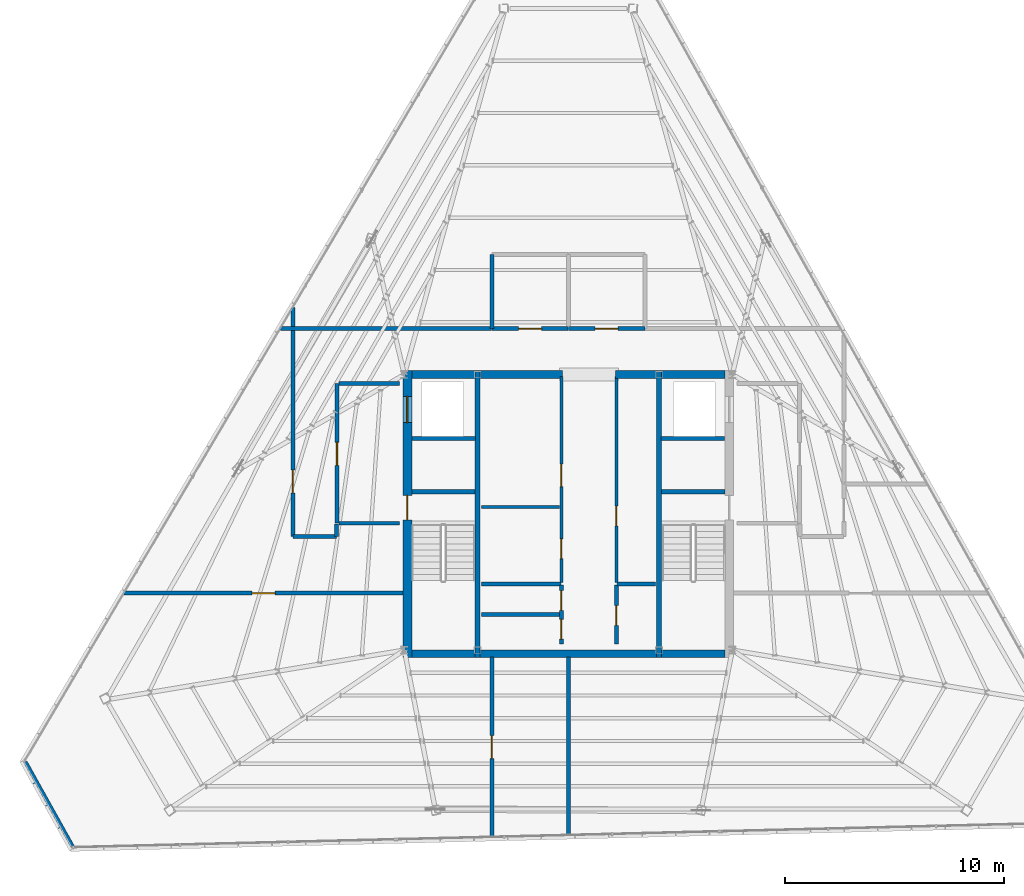
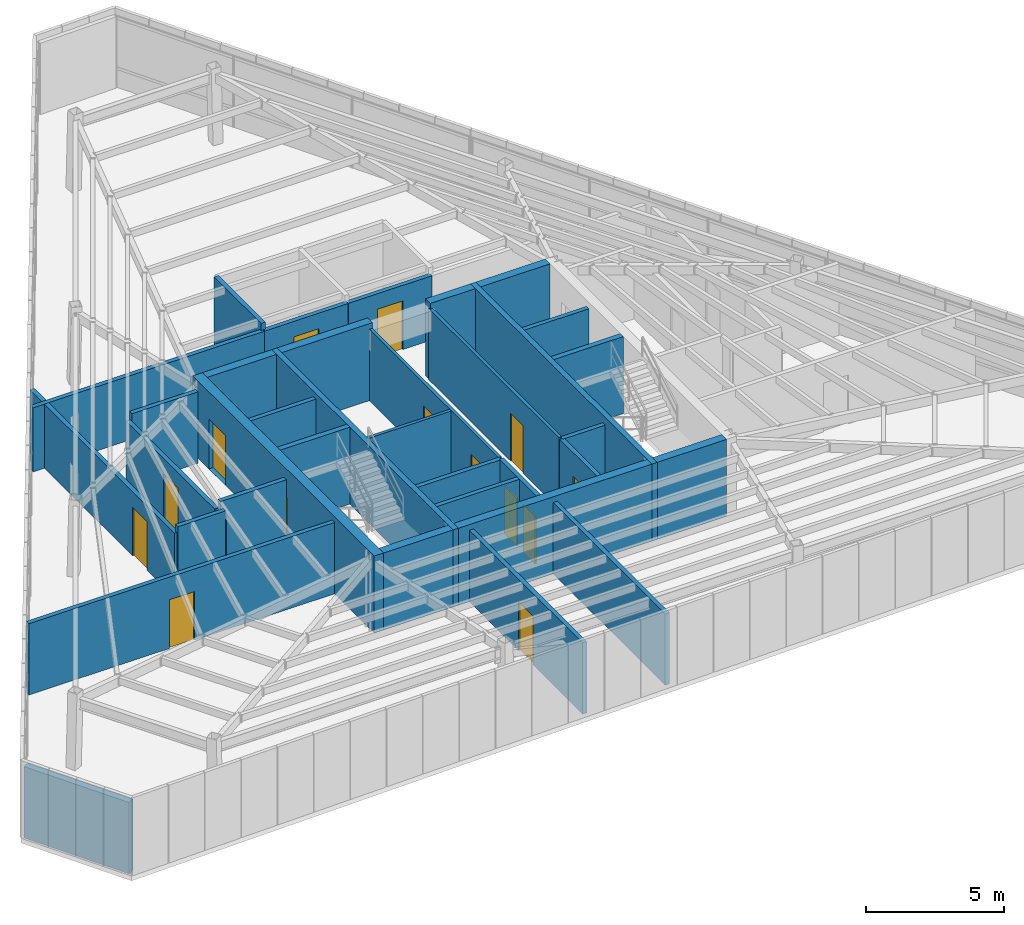
# One storey, part 43 of 47: 36 walls, 14 doors, 14 openings.
"""IFC4 building model written with IfcOpenShell, lengths in metres."""

from ifc_helpers import new_model, si_unit, direction, frame, frame_2d, origin, place, context, subcontext, project, spatial, rectangle, extrude, material, layer, layer_set, type_object, element, fill, save


model = new_model("IFC4")

# Units and contexts
model_context = context("Model", 3, precision=1e-05, world=origin(), true_north=direction((0.0, 1.0)))
body_context = subcontext(model_context, "Body", "Model", "MODEL_VIEW")
ifc_project = project(units=[si_unit("LENGTHUNIT", "METRE"), si_unit("AREAUNIT", "SQUARE_METRE"), si_unit("VOLUMEUNIT", "CUBIC_METRE"), si_unit("PLANEANGLEUNIT", "RADIAN"), si_unit("MASSUNIT", "GRAM", prefix="KILO")], contexts=[model_context])

# Site, building, storey
site_placement = place(None, origin())
site = spatial("IfcSite", under=ifc_project, at=site_placement, CompositionType="ELEMENT")
building_placement = place(site_placement, origin())
building = spatial("IfcBuilding", under=site, at=building_placement, Name="Caelisora Broadcast Tower", CompositionType="ELEMENT")
storey_placement = place(building_placement, frame((0.0, 0.0, 293.199951171875)))
storey = spatial("IfcBuildingStorey", under=building, at=storey_placement, Name="L77", CompositionType="ELEMENT", Elevation=293.199951171875)

# Wall, openings, doors
ifc_material_1 = material(Name="Concrete 40 MPa (AS 3600 N40)", Category="concrete")
ifc_layer_1 = layer(ifc_material_1, 0.39990234375, Name="Concrete 40 MPa (AS 3600 N40)")
ifc_layer_set_1 = layer_set([ifc_layer_1], Name="Concrete 40 MPa (AS 3600 N40)")
wall_type_1 = type_object("IfcWallType", Name="CW3", PredefinedType="SHEAR", material=ifc_layer_set_1)
wall_1_placement = place(storey_placement, frame((30.639892578125, 17.050048828125, 0.0), z_axis=(0.0, 0.0, 1.0), x_axis=(0.0, 1.0, 0.0)))
wall_1 = element("IfcWall", 1, at=wall_1_placement, inside=storey, type_object=wall_type_1, Name="L77 core shear wall CW3", PredefinedType="SHEAR", context=body_context, shape_type="SweptSolid", body=[
    extrude(rectangle(XDim=13.125, YDim=0.39990234375, at=frame_2d((6.5625, 0.0))), origin(), (0.0, 0.0, 1.0), 3.400146484375),
])
opening_1_placement = place(wall_1_placement, frame((6.300048828125, 0.0, 0.0)))
opening_1 = element("IfcOpeningElement", 2, at=opening_1_placement, cuts=wall_1, Name="Opening FD04", PredefinedType="OPENING", context=body_context, shape_type="SweptSolid", body=[
    extrude(rectangle(XDim=1.1201171875, YDim=2.14990234375, at=frame_2d((0.56005859375, 1.074951171875))), frame((0.0, 0.2119140625, 0.0), z_axis=(0.0, -1.0, 0.0), x_axis=(1.0, 0.0, 0.0)), (0.0, 0.0, 1.0), 0.423828125),
])
opening_2_placement = place(wall_1_placement, frame((10.75, 0.0, 0.0)))
opening_2 = element("IfcOpeningElement", 3, at=opening_2_placement, cuts=wall_1, Name="Opening LD04", PredefinedType="OPENING", context=body_context, shape_type="SweptSolid", body=[
    extrude(rectangle(XDim=1.199951171875, YDim=2.199951171875, at=frame_2d((0.60009765625, 1.10009765625))), frame((0.0, 0.2119140625, 0.0), z_axis=(0.0, -1.0, 0.0), x_axis=(1.0, 0.0, 0.0)), (0.0, 0.0, 1.0), 0.423828125),
])
ifc_material_2 = material(Name="Pressurised Fire-Isolated Stair Door", Category="steel")
door_type_1 = type_object("IfcDoorType", Name="FD04", OperationType="NOTDEFINED", PredefinedType="DOOR", material=ifc_material_2)
door_1_placement = place(opening_1_placement, origin())
door_1 = element("IfcDoor", 4, at=door_1_placement, inside=storey, type_object=door_type_1, Name="L77 door FD04 (L77-DR-ST1)", OperationType="SINGLE_SWING_LEFT", OverallHeight=2.14990234375, OverallWidth=1.1201171875, PredefinedType="DOOR", context=body_context, shape_type="SweptSolid", body=[
    extrude(rectangle(XDim=1.1201171875, YDim=2.14990234375, at=frame_2d((0.56005859375, 1.074951171875))), frame((0.0, 0.02490234375, 0.0), z_axis=(0.0, -1.0, 0.0), x_axis=(1.0, 0.0, 0.0)), (0.0, 0.0, 1.0), 0.050048828125),
])
fill(opening_1, door_1)
ifc_material_3 = material(Name="Emergency Firefighting Lift Sliding Landing Door", Category="steel")
door_type_2 = type_object("IfcDoorType", Name="LD04", OperationType="NOTDEFINED", PredefinedType="DOOR", material=ifc_material_3)
door_2_placement = place(opening_2_placement, origin())
door_2 = element("IfcDoor", 5, at=door_2_placement, inside=storey, type_object=door_type_2, Name="L77 door LD04 (L77-LD-FFL1)", OperationType="SLIDING_TO_LEFT", OverallHeight=2.199951171875, OverallWidth=1.199951171875, PredefinedType="DOOR", context=body_context, shape_type="SweptSolid", body=[
    extrude(rectangle(XDim=1.199951171875, YDim=2.199951171875, at=frame_2d((0.60009765625, 1.10009765625))), frame((0.0, 0.02490234375, 0.0), z_axis=(0.0, -1.0, 0.0), x_axis=(1.0, 0.0, 0.0)), (0.0, 0.0, 1.0), 0.050048828125),
])
fill(opening_2, door_2)

# Walls
ifc_layer_2 = layer(ifc_material_1, 0.35009765625, Name="Concrete 40 MPa (AS 3600 N40)")
ifc_layer_set_2 = layer_set([ifc_layer_2], Name="Concrete 40 MPa (AS 3600 N40)")
wall_type_2 = type_object("IfcWallType", Name="CW6", PredefinedType="SHEAR", material=ifc_layer_set_2)
wall_2_placement = place(storey_placement, frame((30.840087890625, 17.22509765625, 0.0), z_axis=(0.0, 0.0, 1.0), x_axis=(1.0, 0.0, 0.0)))
element("IfcWall", 6, at=wall_2_placement, inside=storey, type_object=wall_type_2, Name="L77 core shear wall CW6", PredefinedType="SHEAR", context=body_context, shape_type="SweptSolid", body=[
    extrude(rectangle(XDim=2.89990234375, YDim=0.35009765625, at=frame_2d((1.449951171875, 0.0))), origin(), (0.0, 0.0, 1.0), 3.400146484375),
])
wall_3_placement = place(storey_placement, frame((33.9599609375, 17.22509765625, 0.0), z_axis=(0.0, 0.0, 1.0), x_axis=(1.0, 0.0, 0.0)))
element("IfcWall", 7, at=wall_3_placement, inside=storey, type_object=wall_type_2, Name="L77 core shear wall CW6", PredefinedType="SHEAR", context=body_context, shape_type="SweptSolid", body=[
    extrude(rectangle(XDim=8.080078125, YDim=0.35009765625, at=frame_2d((4.0400390625, 0.0))), origin(), (0.0, 0.0, 1.0), 3.400146484375),
])
for number, where, z_axis, x_axis, name in (
    (8, (42.260009765625, 17.22509765625, 0.0), (0.0, 0.0, 1.0), (1.0, 0.0, 0.0), "L77 core shear wall CW6"),
    (9, (30.840087890625, 30.0, 0.0), (0.0, 0.0, 1.0), (1.0, 0.0, 0.0), "L77 core shear wall CW6"),
):
    element("IfcWall", number, at=place(storey_placement, frame(where, z_axis=z_axis, x_axis=x_axis)), inside=storey, type_object=wall_type_2, Name=name, PredefinedType="SHEAR", context=body_context, shape_type="SweptSolid", body=[
        extrude(rectangle(XDim=2.89990234375, YDim=0.35009765625, at=frame_2d((1.449951171875, 0.0))), origin(), (0.0, 0.0, 1.0), 3.400146484375),
    ])
wall_4_placement = place(storey_placement, frame((33.9599609375, 30.0, 0.0), z_axis=(0.0, 0.0, 1.0), x_axis=(1.0, 0.0, 0.0)))
element("IfcWall", 10, at=wall_4_placement, inside=storey, type_object=wall_type_2, Name="L77 core shear wall CW6", PredefinedType="SHEAR", context=body_context, shape_type="SweptSolid", body=[
    extrude(rectangle(XDim=3.780029296875, YDim=0.35009765625, at=frame_2d((1.89013671875, 0.0))), origin(), (0.0, 0.0, 1.0), 3.400146484375),
])
wall_5_placement = place(storey_placement, frame((40.159912109375, 30.0, 0.0), z_axis=(0.0, 0.0, 1.0), x_axis=(1.0, 0.0, 0.0)))
element("IfcWall", 11, at=wall_5_placement, inside=storey, type_object=wall_type_2, Name="L77 core shear wall CW6", PredefinedType="SHEAR", context=body_context, shape_type="SweptSolid", body=[
    extrude(rectangle(XDim=1.880126953125, YDim=0.35009765625, at=frame_2d((0.93994140625, 0.0))), origin(), (0.0, 0.0, 1.0), 3.400146484375),
])
wall_6_placement = place(storey_placement, frame((42.260009765625, 30.0, 0.0), z_axis=(0.0, 0.0, 1.0), x_axis=(1.0, 0.0, 0.0)))
element("IfcWall", 12, at=wall_6_placement, inside=storey, type_object=wall_type_2, Name="L77 core shear wall CW6", PredefinedType="SHEAR", context=body_context, shape_type="SweptSolid", body=[
    extrude(rectangle(XDim=2.89990234375, YDim=0.35009765625, at=frame_2d((1.449951171875, 0.0))), origin(), (0.0, 0.0, 1.0), 3.400146484375),
])
ifc_material_4 = material(Name="Concrete 50 MPa (AS 3600 S50)", Category="concrete")
ifc_layer_3 = layer(ifc_material_4, 0.219970703125, Name="Concrete 50 MPa (AS 3600 S50)")
ifc_layer_set_3 = layer_set([ifc_layer_3], Name="Concrete 50 MPa (AS 3600 S50)")
wall_type_3 = type_object("IfcWallType", Name="CW7", PredefinedType="SHEAR", material=ifc_layer_set_3)
for number, where, z_axis, x_axis, name in (
    (13, (33.85009765625, 17.050048828125, 0.0), (0.0, 0.0, 1.0), (0.0, 1.0, 0.0), "L77 core shear wall CW7"),
    (14, (42.14990234375, 17.050048828125, 0.0), (0.0, 0.0, 1.0), (0.0, 1.0, 0.0), "L77 core shear wall CW7"),
):
    element("IfcWall", number, at=place(storey_placement, frame(where, z_axis=z_axis, x_axis=x_axis)), inside=storey, type_object=wall_type_3, Name=name, PredefinedType="SHEAR", context=body_context, shape_type="SweptSolid", body=[
        extrude(rectangle(XDim=13.125, YDim=0.219970703125, at=frame_2d((6.5625, 0.0))), origin(), (0.0, 0.0, 1.0), 3.400146484375),
    ])
for number, where, z_axis, x_axis, name in (
    (15, (30.840087890625, 24.639892578125, 0.0), (0.0, 0.0, 1.0), (1.0, 0.0, 0.0), "L77 core shear wall CW7"),
    (16, (42.260009765625, 24.639892578125, 0.0), (0.0, 0.0, 1.0), (1.0, 0.0, 0.0), "L77 core shear wall CW7"),
):
    element("IfcWall", number, at=place(storey_placement, frame(where, z_axis=z_axis, x_axis=x_axis)), inside=storey, type_object=wall_type_3, Name=name, PredefinedType="SHEAR", context=body_context, shape_type="SweptSolid", body=[
        extrude(rectangle(XDim=2.89990234375, YDim=0.219970703125, at=frame_2d((1.449951171875, 0.0))), origin(), (0.0, 0.0, 1.0), 3.400146484375),
    ])
ifc_material_5 = material(Name="Fire-Rated Acoustic Plant Enclosure Wall", Category="masonry")
ifc_layer_4 = layer(ifc_material_5, 0.260009765625, Name="Fire-Rated Acoustic Plant Enclosure Wall")
ifc_layer_set_4 = layer_set([ifc_layer_4], Name="Fire-Rated Acoustic Plant Enclosure Wall")
wall_type_4 = type_object("IfcWallType", Name="EW2", PredefinedType="STANDARD", material=ifc_layer_set_4)
wall_7_placement = place(storey_placement, frame((15.289306640625, 8.397216796875, 0.0), z_axis=(0.0, 0.0, 1.0), x_axis=(-0.48734466752, 0.87320969706, 0.0)))
element("IfcWall", 17, at=wall_7_placement, inside=storey, type_object=wall_type_4, Name="L77 exterior envelope wall EW2", PredefinedType="STANDARD", context=body_context, shape_type="SweptSolid", body=[
    extrude(rectangle(XDim=4.431396484375, YDim=0.260009765625, at=frame_2d((2.2158203125, 0.0))), origin(), (0.0, 0.0, 1.0), 3.150146484375),
])

# Wall, opening, door
ifc_material_6 = material(Name="Fire-Rated Gypsum Shaft and Compartment Wall", Category="gypsum")
ifc_layer_5 = layer(ifc_material_6, 0.179931640625, Name="Fire-Rated Gypsum Shaft and Compartment Wall")
ifc_layer_set_5 = layer_set([ifc_layer_5], Name="Fire-Rated Gypsum Shaft and Compartment Wall")
wall_type_5 = type_object("IfcWallType", Name="PW2", PredefinedType="PARTITIONING", material=ifc_layer_set_5)
wall_8_placement = place(storey_placement, frame((27.419921875, 23.199951171875, 0.0), z_axis=(0.0, 0.0, 1.0), x_axis=(0.0, 1.0, 0.0)))
wall_8 = element("IfcWall", 18, at=wall_8_placement, inside=storey, type_object=wall_type_5, Name="L77 fire compartment wall PW2", PredefinedType="PARTITIONING", context=body_context, shape_type="SweptSolid", body=[
    extrude(rectangle(XDim=6.400146484375, YDim=0.179931640625, at=frame_2d((3.2001953125, 0.0))), origin(), (0.0, 0.0, 1.0), 2.8349609375),
])
opening_3_placement = place(wall_8_placement, frame((2.64990234375, 0.0, 0.0)))
opening_3 = element("IfcOpeningElement", 19, at=opening_3_placement, cuts=wall_8, Name="Opening FD02", PredefinedType="OPENING", context=body_context, shape_type="SweptSolid", body=[
    extrude(rectangle(XDim=1.050048828125, YDim=2.14990234375, at=frame_2d((0.52490234375, 1.074951171875))), frame((0.0, 0.10205078125, 0.0), z_axis=(0.0, -1.0, 0.0), x_axis=(1.0, 0.0, 0.0)), (0.0, 0.0, 1.0), 0.203857421875),
])
ifc_material_7 = material(Name="Single-Leaf Steel Fire Lobby Door", Category="steel")
door_type_3 = type_object("IfcDoorType", Name="FD02", OperationType="NOTDEFINED", PredefinedType="DOOR", material=ifc_material_7)
door_3_placement = place(opening_3_placement, origin())
door_3 = element("IfcDoor", 20, at=door_3_placement, inside=storey, type_object=door_type_3, Name="L77 door FD02 (L77-DR-P01D1)", OperationType="SINGLE_SWING_LEFT", OverallHeight=2.14990234375, OverallWidth=1.050048828125, PredefinedType="DOOR", context=body_context, shape_type="SweptSolid", body=[
    extrude(rectangle(XDim=1.050048828125, YDim=2.14990234375, at=frame_2d((0.52490234375, 1.074951171875))), frame((0.0, 0.02490234375, 0.0), z_axis=(0.0, -1.0, 0.0), x_axis=(1.0, 0.0, 0.0)), (0.0, 0.0, 1.0), 0.050048828125),
])
fill(opening_3, door_3)

# Walls
for number, where, z_axis, x_axis, name in (
    (21, (27.52001953125, 23.199951171875, 0.0), (0.0, 0.0, 1.0), (1.0, 0.0, 0.0), "L77 fire compartment wall PW2"),
    (22, (27.52001953125, 29.60009765625, 0.0), (0.0, 0.0, 1.0), (1.0, 0.0, 0.0), "L77 fire compartment wall PW2"),
):
    element("IfcWall", number, at=place(storey_placement, frame(where, z_axis=z_axis, x_axis=x_axis)), inside=storey, type_object=wall_type_5, Name=name, PredefinedType="PARTITIONING", context=body_context, shape_type="SweptSolid", body=[
        extrude(rectangle(XDim=2.760009765625, YDim=0.179931640625, at=frame_2d((1.3798828125, 0.0))), origin(), (0.0, 0.0, 1.0), 3.150146484375),
    ])
for number, where, z_axis, x_axis, name in (
    (23, (30.860107421875, 27.070068359375, 0.0), (0.0, 0.0, 1.0), (1.0, 0.0, 0.0), "L77 fire compartment wall PW2"),
    (24, (42.239990234375, 27.070068359375, 0.0), (0.0, 0.0, 1.0), (1.0, 0.0, 0.0), "L77 fire compartment wall PW2"),
):
    element("IfcWall", number, at=place(storey_placement, frame(where, z_axis=z_axis, x_axis=x_axis)), inside=storey, type_object=wall_type_5, Name=name, PredefinedType="PARTITIONING", context=body_context, shape_type="SweptSolid", body=[
        extrude(rectangle(XDim=2.89990234375, YDim=0.179931640625, at=frame_2d((1.449951171875, 0.0))), origin(), (0.0, 0.0, 1.0), 3.150146484375),
    ])
wall_9_placement = place(storey_placement, frame((34.02001953125, 20.419921875, 0.0), z_axis=(0.0, 0.0, 1.0), x_axis=(1.0, 0.0, 0.0)))
element("IfcWall", 25, at=wall_9_placement, inside=storey, type_object=wall_type_5, Name="L77 fire compartment wall PW2", PredefinedType="PARTITIONING", context=body_context, shape_type="SweptSolid", body=[
    extrude(rectangle(XDim=3.639892578125, YDim=0.179931640625, at=frame_2d((1.81982421875, 0.0))), origin(), (0.0, 0.0, 1.0), 3.150146484375),
])
wall_10_placement = place(storey_placement, frame((40.219970703125, 20.419921875, 0.0), z_axis=(0.0, 0.0, 1.0), x_axis=(1.0, 0.0, 0.0)))
element("IfcWall", 26, at=wall_10_placement, inside=storey, type_object=wall_type_5, Name="L77 fire compartment wall PW2", PredefinedType="PARTITIONING", context=body_context, shape_type="SweptSolid", body=[
    extrude(rectangle(XDim=1.760009765625, YDim=0.179931640625, at=frame_2d((0.8798828125, 0.0))), origin(), (0.0, 0.0, 1.0), 3.150146484375),
])
wall_11_placement = place(storey_placement, frame((34.02001953125, 19.02001953125, 0.0), z_axis=(0.0, 0.0, 1.0), x_axis=(1.0, 0.0, 0.0)))
element("IfcWall", 27, at=wall_11_placement, inside=storey, type_object=wall_type_5, Name="L77 fire compartment wall PW2", PredefinedType="PARTITIONING", context=body_context, shape_type="SweptSolid", body=[
    extrude(rectangle(XDim=3.580078125, YDim=0.179931640625, at=frame_2d((1.7900390625, 0.0))), origin(), (0.0, 0.0, 1.0), 3.150146484375),
])

# Wall, openings, doors
wall_12_placement = place(storey_placement, frame((37.679931640625, 17.679931640625, 0.0), z_axis=(0.0, 0.0, 1.0), x_axis=(0.0, 1.0, 0.0)))
wall_12 = element("IfcWall", 28, at=wall_12_placement, inside=storey, type_object=wall_type_5, Name="L77 fire compartment wall PW2", PredefinedType="PARTITIONING", context=body_context, shape_type="SweptSolid", body=[
    extrude(rectangle(XDim=2.699951171875, YDim=0.179931640625, at=frame_2d((1.35009765625, 0.0))), origin(), (0.0, 0.0, 1.0), 3.150146484375),
])
opening_4_placement = place(wall_12_placement, frame((0.219970703125, 0.0, 0.0)))
opening_4 = element("IfcOpeningElement", 29, at=opening_4_placement, cuts=wall_12, Name="Opening FD03", PredefinedType="OPENING", context=body_context, shape_type="SweptSolid", body=[
    extrude(rectangle(XDim=0.89990234375, YDim=2.10009765625, at=frame_2d((0.449951171875, 1.050048828125))), frame((0.0, 0.10205078125, 0.0), z_axis=(0.0, -1.0, 0.0), x_axis=(1.0, 0.0, 0.0)), (0.0, 0.0, 1.0), 0.203857421875),
])
opening_5_placement = place(wall_12_placement, frame((1.5400390625, 0.0, 0.0)))
opening_5 = element("IfcOpeningElement", 30, at=opening_5_placement, cuts=wall_12, Name="Opening FD03", PredefinedType="OPENING", context=body_context, shape_type="SweptSolid", body=[
    extrude(rectangle(XDim=0.89990234375, YDim=2.10009765625, at=frame_2d((0.449951171875, 1.050048828125))), frame((0.0, 0.10205078125, 0.0), z_axis=(0.0, -1.0, 0.0), x_axis=(1.0, 0.0, 0.0)), (0.0, 0.0, 1.0), 0.203857421875),
])
ifc_material_8 = material(Name="Single-Leaf Steel Riser Fire Access Door", Category="steel")
door_type_4 = type_object("IfcDoorType", Name="FD03", OperationType="NOTDEFINED", PredefinedType="DOOR", material=ifc_material_8)
door_4_placement = place(opening_4_placement, origin())
door_4 = element("IfcDoor", 31, at=door_4_placement, inside=storey, type_object=door_type_4, Name="L77 door FD03 (L77-DR-P15D1)", OperationType="SINGLE_SWING_RIGHT", OverallHeight=2.10009765625, OverallWidth=0.89990234375, PredefinedType="DOOR", context=body_context, shape_type="SweptSolid", body=[
    extrude(rectangle(XDim=0.89990234375, YDim=2.10009765625, at=frame_2d((0.449951171875, 1.050048828125))), frame((0.0, 0.02490234375, 0.0), z_axis=(0.0, -1.0, 0.0), x_axis=(1.0, 0.0, 0.0)), (0.0, 0.0, 1.0), 0.050048828125),
])
fill(opening_4, door_4)
door_5_placement = place(opening_5_placement, origin())
door_5 = element("IfcDoor", 32, at=door_5_placement, inside=storey, type_object=door_type_4, Name="L77 door FD03 (L77-DR-P15D2)", OperationType="SINGLE_SWING_LEFT", OverallHeight=2.10009765625, OverallWidth=0.89990234375, PredefinedType="DOOR", context=body_context, shape_type="SweptSolid", body=[
    extrude(rectangle(XDim=0.89990234375, YDim=2.10009765625, at=frame_2d((0.449951171875, 1.050048828125))), frame((0.0, 0.02490234375, 0.0), z_axis=(0.0, -1.0, 0.0), x_axis=(1.0, 0.0, 0.0)), (0.0, 0.0, 1.0), 0.050048828125),
])
fill(opening_5, door_5)

# Wall, opening, door
wall_13_placement = place(storey_placement, frame((40.199951171875, 17.679931640625, 0.0), z_axis=(0.0, 0.0, 1.0), x_axis=(0.0, 1.0, 0.0)))
wall_13 = element("IfcWall", 33, at=wall_13_placement, inside=storey, type_object=wall_type_5, Name="L77 fire compartment wall PW2", PredefinedType="PARTITIONING", context=body_context, shape_type="SweptSolid", body=[
    extrude(rectangle(XDim=2.699951171875, YDim=0.179931640625, at=frame_2d((1.35009765625, 0.0))), origin(), (0.0, 0.0, 1.0), 3.150146484375),
])
opening_6_placement = place(wall_13_placement, frame((0.85009765625, 0.0, 0.0)))
opening_6 = element("IfcOpeningElement", 34, at=opening_6_placement, cuts=wall_13, Name="Opening FD03", PredefinedType="OPENING", context=body_context, shape_type="SweptSolid", body=[
    extrude(rectangle(XDim=0.89990234375, YDim=2.10009765625, at=frame_2d((0.449951171875, 1.050048828125))), frame((0.0, 0.10205078125, 0.0), z_axis=(0.0, -1.0, 0.0), x_axis=(1.0, 0.0, 0.0)), (0.0, 0.0, 1.0), 0.203857421875),
])
door_6_placement = place(opening_6_placement, origin())
door_6 = element("IfcDoor", 35, at=door_6_placement, inside=storey, type_object=door_type_4, Name="L77 door FD03 (L77-DR-P16D1)", OperationType="SINGLE_SWING_RIGHT", OverallHeight=2.10009765625, OverallWidth=0.89990234375, PredefinedType="DOOR", context=body_context, shape_type="SweptSolid", body=[
    extrude(rectangle(XDim=0.89990234375, YDim=2.10009765625, at=frame_2d((0.449951171875, 1.050048828125))), frame((0.0, 0.02490234375, 0.0), z_axis=(0.0, -1.0, 0.0), x_axis=(1.0, 0.0, 0.0)), (0.0, 0.0, 1.0), 0.050048828125),
])
fill(opening_6, door_6)

wall_14_placement = place(storey_placement, frame((17.679931640625, 20.0, 0.0), z_axis=(0.0, 0.0, 1.0), x_axis=(1.0, 0.0, 0.0)))
wall_14 = element("IfcWall", 36, at=wall_14_placement, inside=storey, type_object=wall_type_5, Name="L77 fire compartment wall PW2", PredefinedType="PARTITIONING", context=body_context, shape_type="SweptSolid", body=[
    extrude(rectangle(XDim=12.76513671875, YDim=0.179931640625, at=frame_2d((6.382568359375, 0.0))), origin(), (0.0, 0.0, 1.0), 3.150146484375),
])
opening_7_placement = place(wall_14_placement, frame((5.85693359375, 0.0, 0.0)))
opening_7 = element("IfcOpeningElement", 37, at=opening_7_placement, cuts=wall_14, Name="Opening FD02", PredefinedType="OPENING", context=body_context, shape_type="SweptSolid", body=[
    extrude(rectangle(XDim=1.050048828125, YDim=2.14990234375, at=frame_2d((0.52490234375, 1.074951171875))), frame((0.0, 0.10205078125, 0.0), z_axis=(0.0, -1.0, 0.0), x_axis=(1.0, 0.0, 0.0)), (0.0, 0.0, 1.0), 0.203857421875),
])
door_7_placement = place(opening_7_placement, origin())
door_7 = element("IfcDoor", 38, at=door_7_placement, inside=storey, type_object=door_type_3, Name="L77 door FD02 (L77-DR-P17D1)", OperationType="SINGLE_SWING_LEFT", OverallHeight=2.14990234375, OverallWidth=1.050048828125, PredefinedType="DOOR", context=body_context, shape_type="SweptSolid", body=[
    extrude(rectangle(XDim=1.050048828125, YDim=2.14990234375, at=frame_2d((0.52490234375, 1.074951171875))), frame((0.0, 0.02490234375, 0.0), z_axis=(0.0, -1.0, 0.0), x_axis=(1.0, 0.0, 0.0)), (0.0, 0.0, 1.0), 0.050048828125),
])
fill(opening_7, door_7)

wall_15_placement = place(storey_placement, frame((25.39990234375, 22.60498046875, 0.0), z_axis=(0.0, 0.0, 1.0), x_axis=(0.0, 1.0, 0.0)))
wall_15 = element("IfcWall", 39, at=wall_15_placement, inside=storey, type_object=wall_type_5, Name="L77 fire compartment wall PW2", PredefinedType="PARTITIONING", context=body_context, shape_type="SweptSolid", body=[
    extrude(rectangle(XDim=10.4560546875, YDim=0.179931640625, at=frame_2d((5.22802734375, 0.0))), origin(), (0.0, 0.0, 1.0), 2.8349609375),
])
opening_8_placement = place(wall_15_placement, frame((1.97998046875, 0.0, 0.0)))
opening_8 = element("IfcOpeningElement", 40, at=opening_8_placement, cuts=wall_15, Name="Opening FD02", PredefinedType="OPENING", context=body_context, shape_type="SweptSolid", body=[
    extrude(rectangle(XDim=1.050048828125, YDim=2.14990234375, at=frame_2d((0.52490234375, 1.074951171875))), frame((0.0, 0.10205078125, 0.0), z_axis=(0.0, -1.0, 0.0), x_axis=(1.0, 0.0, 0.0)), (0.0, 0.0, 1.0), 0.203857421875),
])
door_8_placement = place(opening_8_placement, origin())
door_8 = element("IfcDoor", 41, at=door_8_placement, inside=storey, type_object=door_type_3, Name="L77 door FD02 (L77-DR-P19D1)", OperationType="SINGLE_SWING_LEFT", OverallHeight=2.14990234375, OverallWidth=1.050048828125, PredefinedType="DOOR", context=body_context, shape_type="SweptSolid", body=[
    extrude(rectangle(XDim=1.050048828125, YDim=2.14990234375, at=frame_2d((0.52490234375, 1.074951171875))), frame((0.0, 0.02490234375, 0.0), z_axis=(0.0, -1.0, 0.0), x_axis=(1.0, 0.0, 0.0)), (0.0, 0.0, 1.0), 0.050048828125),
])
fill(opening_8, door_8)

# Wall
wall_16_placement = place(storey_placement, frame((24.84033203125, 32.10009765625, 0.0), z_axis=(0.0, 0.0, 1.0), x_axis=(1.0, 0.0, 0.0)))
element("IfcWall", 42, at=wall_16_placement, inside=storey, type_object=wall_type_5, Name="L77 fire compartment wall PW2", PredefinedType="PARTITIONING", context=body_context, shape_type="SweptSolid", body=[
    extrude(rectangle(XDim=9.65478515625, YDim=0.179931640625, at=frame_2d((4.827392578125, 0.0))), origin(), (0.0, 0.0, 1.0), 2.8349609375),
])

# Wall, opening, door
wall_17_placement = place(storey_placement, frame((34.5, 8.85009765625, 0.0), z_axis=(0.0, 0.0, 1.0), x_axis=(0.0, 1.0, 0.0)))
wall_17 = element("IfcWall", 43, at=wall_17_placement, inside=storey, type_object=wall_type_5, Name="L77 fire compartment wall PW2", PredefinedType="PARTITIONING", context=body_context, shape_type="SweptSolid", body=[
    extrude(rectangle(XDim=8.224853515625, YDim=0.179931640625, at=frame_2d((4.1123046875, 0.0))), origin(), (0.0, 0.0, 1.0), 3.150146484375),
])
opening_9_placement = place(wall_17_placement, frame((3.5869140625, 0.0, 0.0)))
opening_9 = element("IfcOpeningElement", 44, at=opening_9_placement, cuts=wall_17, Name="Opening FD02", PredefinedType="OPENING", context=body_context, shape_type="SweptSolid", body=[
    extrude(rectangle(XDim=1.050048828125, YDim=2.14990234375, at=frame_2d((0.52490234375, 1.074951171875))), frame((0.0, 0.10205078125, 0.0), z_axis=(0.0, -1.0, 0.0), x_axis=(1.0, 0.0, 0.0)), (0.0, 0.0, 1.0), 0.203857421875),
])
door_9_placement = place(opening_9_placement, origin())
door_9 = element("IfcDoor", 45, at=door_9_placement, inside=storey, type_object=door_type_3, Name="L77 door FD02 (L77-DR-P22D1)", OperationType="SINGLE_SWING_RIGHT", OverallHeight=2.14990234375, OverallWidth=1.050048828125, PredefinedType="DOOR", context=body_context, shape_type="SweptSolid", body=[
    extrude(rectangle(XDim=1.050048828125, YDim=2.14990234375, at=frame_2d((0.52490234375, 1.074951171875))), frame((0.0, 0.02490234375, 0.0), z_axis=(0.0, -1.0, 0.0), x_axis=(1.0, 0.0, 0.0)), (0.0, 0.0, 1.0), 0.050048828125),
])
fill(opening_9, door_9)

# Wall
wall_18_placement = place(storey_placement, frame((38.0, 8.93994140625, 0.0), z_axis=(0.0, 0.0, 1.0), x_axis=(0.0, 1.0, 0.0)))
element("IfcWall", 46, at=wall_18_placement, inside=storey, type_object=wall_type_5, Name="L77 fire compartment wall PW2", PredefinedType="PARTITIONING", context=body_context, shape_type="SweptSolid", body=[
    extrude(rectangle(XDim=8.135009765625, YDim=0.179931640625, at=frame_2d((4.0673828125, 0.0))), origin(), (0.0, 0.0, 1.0), 3.150146484375),
])

# Wall, opening, door
wall_19_placement = place(storey_placement, frame((34.5048828125, 32.10009765625, 0.0), z_axis=(0.0, 0.0, 1.0), x_axis=(1.0, 0.0, 0.0)))
wall_19 = element("IfcWall", 47, at=wall_19_placement, inside=storey, type_object=wall_type_5, Name="L77 fire compartment wall PW2", PredefinedType="PARTITIONING", context=body_context, shape_type="SweptSolid", body=[
    extrude(rectangle(XDim=3.490234375, YDim=0.179931640625, at=frame_2d((1.7451171875, 0.0))), origin(), (0.0, 0.0, 1.0), 2.8349609375),
])
opening_10_placement = place(wall_19_placement, frame((1.219970703125, 0.0, 0.0)))
opening_10 = element("IfcOpeningElement", 48, at=opening_10_placement, cuts=wall_19, Name="Opening FD02", PredefinedType="OPENING", context=body_context, shape_type="SweptSolid", body=[
    extrude(rectangle(XDim=1.050048828125, YDim=2.14990234375, at=frame_2d((0.52490234375, 1.074951171875))), frame((0.0, 0.10205078125, 0.0), z_axis=(0.0, -1.0, 0.0), x_axis=(1.0, 0.0, 0.0)), (0.0, 0.0, 1.0), 0.203857421875),
])
door_10_placement = place(opening_10_placement, origin())
door_10 = element("IfcDoor", 49, at=door_10_placement, inside=storey, type_object=door_type_3, Name="L77 door FD02 (L77-DR-P26D1)", OperationType="SINGLE_SWING_RIGHT", OverallHeight=2.14990234375, OverallWidth=1.050048828125, PredefinedType="DOOR", context=body_context, shape_type="SweptSolid", body=[
    extrude(rectangle(XDim=1.050048828125, YDim=2.14990234375, at=frame_2d((0.52490234375, 1.074951171875))), frame((0.0, 0.02490234375, 0.0), z_axis=(0.0, -1.0, 0.0), x_axis=(1.0, 0.0, 0.0)), (0.0, 0.0, 1.0), 0.050048828125),
])
fill(opening_10, door_10)

wall_20_placement = place(storey_placement, frame((38.0048828125, 32.10009765625, 0.0), z_axis=(0.0, 0.0, 1.0), x_axis=(1.0, 0.0, 0.0)))
wall_20 = element("IfcWall", 50, at=wall_20_placement, inside=storey, type_object=wall_type_5, Name="L77 fire compartment wall PW2", PredefinedType="PARTITIONING", context=body_context, shape_type="SweptSolid", body=[
    extrude(rectangle(XDim=3.490234375, YDim=0.179931640625, at=frame_2d((1.7451171875, 0.0))), origin(), (0.0, 0.0, 1.0), 2.8349609375),
])
opening_11_placement = place(wall_20_placement, frame((1.219970703125, 0.0, 0.0)))
opening_11 = element("IfcOpeningElement", 51, at=opening_11_placement, cuts=wall_20, Name="Opening FD02", PredefinedType="OPENING", context=body_context, shape_type="SweptSolid", body=[
    extrude(rectangle(XDim=1.050048828125, YDim=2.14990234375, at=frame_2d((0.52490234375, 1.074951171875))), frame((0.0, 0.10205078125, 0.0), z_axis=(0.0, -1.0, 0.0), x_axis=(1.0, 0.0, 0.0)), (0.0, 0.0, 1.0), 0.203857421875),
])
door_11_placement = place(opening_11_placement, origin())
door_11 = element("IfcDoor", 52, at=door_11_placement, inside=storey, type_object=door_type_3, Name="L77 door FD02 (L77-DR-P27D1)", OperationType="SINGLE_SWING_LEFT", OverallHeight=2.14990234375, OverallWidth=1.050048828125, PredefinedType="DOOR", context=body_context, shape_type="SweptSolid", body=[
    extrude(rectangle(XDim=1.050048828125, YDim=2.14990234375, at=frame_2d((0.52490234375, 1.074951171875))), frame((0.0, 0.02490234375, 0.0), z_axis=(0.0, -1.0, 0.0), x_axis=(1.0, 0.0, 0.0)), (0.0, 0.0, 1.0), 0.050048828125),
])
fill(opening_11, door_11)

# Walls
wall_21_placement = place(storey_placement, frame((34.5, 32.10498046875, 0.0), z_axis=(0.0, 0.0, 1.0), x_axis=(0.0, 1.0, 0.0)))
element("IfcWall", 53, at=wall_21_placement, inside=storey, type_object=wall_type_5, Name="L77 fire compartment wall PW2", PredefinedType="PARTITIONING", context=body_context, shape_type="SweptSolid", body=[
    extrude(rectangle(XDim=3.39013671875, YDim=0.179931640625, at=frame_2d((1.695068359375, 0.0))), origin(), (0.0, 0.0, 1.0), 3.150146484375),
])
wall_22_placement = place(storey_placement, frame((27.39501953125, 22.60009765625, 0.0), z_axis=(0.0, 0.0, 1.0), x_axis=(-1.0, 0.0, 0.0)))
element("IfcWall", 54, at=wall_22_placement, inside=storey, type_object=wall_type_5, Name="L77 fire compartment wall PW2", PredefinedType="PARTITIONING", context=body_context, shape_type="SweptSolid", body=[
    extrude(rectangle(XDim=1.989990234375, YDim=0.179931640625, at=frame_2d((0.9951171875, 0.0))), origin(), (0.0, 0.0, 1.0), 3.150146484375),
])
wall_23_placement = place(storey_placement, frame((27.39990234375, 23.175048828125, 0.0), z_axis=(0.0, 0.0, 1.0), x_axis=(0.0, -1.0, 0.0)))
element("IfcWall", 55, at=wall_23_placement, inside=storey, type_object=wall_type_5, Name="L77 fire compartment wall PW2", PredefinedType="PARTITIONING", context=body_context, shape_type="SweptSolid", body=[
    extrude(rectangle(XDim=0.570068359375, YDim=0.179931640625, at=frame_2d((0.28515625, 0.0))), origin(), (0.0, 0.0, 1.0), 2.8349609375),
])
ifc_material_9 = material(Name="Acoustic Steel-Stud Plasterboard Partition", Category="gypsum")
ifc_layer_6 = layer(ifc_material_9, 0.1298828125, Name="Acoustic Steel-Stud Plasterboard Partition")
ifc_layer_set_6 = layer_set([ifc_layer_6], Name="Acoustic Steel-Stud Plasterboard Partition")
wall_type_6 = type_object("IfcWallType", Name="PW3", PredefinedType="PARTITIONING", material=ifc_layer_set_6)
wall_24_placement = place(storey_placement, frame((34.02001953125, 23.949951171875, 0.0), z_axis=(0.0, 0.0, 1.0), x_axis=(1.0, 0.0, 0.0)))
element("IfcWall", 56, at=wall_24_placement, inside=storey, type_object=wall_type_6, Name="L77 internal partition PW3", PredefinedType="PARTITIONING", context=body_context, shape_type="SweptSolid", body=[
    extrude(rectangle(XDim=3.580078125, YDim=0.1298828125, at=frame_2d((1.7900390625, 0.0))), origin(), (0.0, 0.0, 1.0), 3.150146484375),
])

# Wall, openings, doors
wall_25_placement = place(storey_placement, frame((37.679931640625, 20.47998046875, 0.0), z_axis=(0.0, 0.0, 1.0), x_axis=(0.0, 1.0, 0.0)))
wall_25 = element("IfcWall", 57, at=wall_25_placement, inside=storey, type_object=wall_type_6, Name="L77 internal partition PW3", PredefinedType="PARTITIONING", context=body_context, shape_type="SweptSolid", body=[
    extrude(rectangle(XDim=9.43994140625, YDim=0.1298828125, at=frame_2d((4.719970703125, 0.0))), origin(), (0.0, 0.0, 1.0), 3.150146484375),
])
opening_12_placement = place(wall_25_placement, frame((1.10009765625, 0.0, 0.0)))
opening_12 = element("IfcOpeningElement", 58, at=opening_12_placement, cuts=wall_25, Name="Opening FD03", PredefinedType="OPENING", context=body_context, shape_type="SweptSolid", body=[
    extrude(rectangle(XDim=0.89990234375, YDim=2.10009765625, at=frame_2d((0.449951171875, 1.050048828125))), frame((0.0, 0.076904296875, 0.0), z_axis=(0.0, -1.0, 0.0), x_axis=(1.0, 0.0, 0.0)), (0.0, 0.0, 1.0), 0.15380859375),
])
opening_13_placement = place(wall_25_placement, frame((4.39990234375, 0.0, 0.0)))
opening_13 = element("IfcOpeningElement", 59, at=opening_13_placement, cuts=wall_25, Name="Opening D02", PredefinedType="OPENING", context=body_context, shape_type="SweptSolid", body=[
    extrude(rectangle(XDim=1.02001953125, YDim=2.14990234375, at=frame_2d((0.510009765625, 1.074951171875))), frame((0.0, 0.076904296875, 0.0), z_axis=(0.0, -1.0, 0.0), x_axis=(1.0, 0.0, 0.0)), (0.0, 0.0, 1.0), 0.15380859375),
])
ifc_material_10 = material(Name="Solid-Core Timber Archive Suite Door", Category="wood")
door_type_5 = type_object("IfcDoorType", Name="D02", OperationType="NOTDEFINED", PredefinedType="DOOR", material=ifc_material_10)
door_12_placement = place(opening_13_placement, origin())
door_12 = element("IfcDoor", 60, at=door_12_placement, inside=storey, type_object=door_type_5, Name="L77 door D02 (L77-DR-P12D2)", OperationType="SINGLE_SWING_RIGHT", OverallHeight=2.14990234375, OverallWidth=1.02001953125, PredefinedType="DOOR", context=body_context, shape_type="SweptSolid", body=[
    extrude(rectangle(XDim=1.02001953125, YDim=2.14990234375, at=frame_2d((0.510009765625, 1.074951171875))), frame((0.0, 0.02490234375, 0.0), z_axis=(0.0, -1.0, 0.0), x_axis=(1.0, 0.0, 0.0)), (0.0, 0.0, 1.0), 0.050048828125),
])
fill(opening_13, door_12)
door_13_placement = place(opening_12_placement, origin())
door_13 = element("IfcDoor", 61, at=door_13_placement, inside=storey, type_object=door_type_4, Name="L77 door FD03 (L77-DR-P12D1)", OperationType="SINGLE_SWING_LEFT", OverallHeight=2.10009765625, OverallWidth=0.89990234375, PredefinedType="DOOR", context=body_context, shape_type="SweptSolid", body=[
    extrude(rectangle(XDim=0.89990234375, YDim=2.10009765625, at=frame_2d((0.449951171875, 1.050048828125))), frame((0.0, 0.02490234375, 0.0), z_axis=(0.0, -1.0, 0.0), x_axis=(1.0, 0.0, 0.0)), (0.0, 0.0, 1.0), 0.050048828125),
])
fill(opening_12, door_13)

# Wall, opening, door
wall_26_placement = place(storey_placement, frame((40.199951171875, 20.47998046875, 0.0), z_axis=(0.0, 0.0, 1.0), x_axis=(0.0, 1.0, 0.0)))
wall_26 = element("IfcWall", 62, at=wall_26_placement, inside=storey, type_object=wall_type_6, Name="L77 internal partition PW3", PredefinedType="PARTITIONING", context=body_context, shape_type="SweptSolid", body=[
    extrude(rectangle(XDim=9.43994140625, YDim=0.1298828125, at=frame_2d((4.719970703125, 0.0))), origin(), (0.0, 0.0, 1.0), 3.150146484375),
])
opening_14_placement = place(wall_26_placement, frame((2.60009765625, 0.0, 0.0)))
opening_14 = element("IfcOpeningElement", 63, at=opening_14_placement, cuts=wall_26, Name="Opening FD03", PredefinedType="OPENING", context=body_context, shape_type="SweptSolid", body=[
    extrude(rectangle(XDim=0.89990234375, YDim=2.10009765625, at=frame_2d((0.449951171875, 1.050048828125))), frame((0.0, 0.076904296875, 0.0), z_axis=(0.0, -1.0, 0.0), x_axis=(1.0, 0.0, 0.0)), (0.0, 0.0, 1.0), 0.15380859375),
])
door_14_placement = place(opening_14_placement, origin())
door_14 = element("IfcDoor", 64, at=door_14_placement, inside=storey, type_object=door_type_4, Name="L77 door FD03 (L77-DR-P13D1)", OperationType="SINGLE_SWING_LEFT", OverallHeight=2.10009765625, OverallWidth=0.89990234375, PredefinedType="DOOR", context=body_context, shape_type="SweptSolid", body=[
    extrude(rectangle(XDim=0.89990234375, YDim=2.10009765625, at=frame_2d((0.449951171875, 1.050048828125))), frame((0.0, 0.02490234375, 0.0), z_axis=(0.0, -1.0, 0.0), x_axis=(1.0, 0.0, 0.0)), (0.0, 0.0, 1.0), 0.050048828125),
])
fill(opening_14, door_14)

save(model, "model.ifc")
